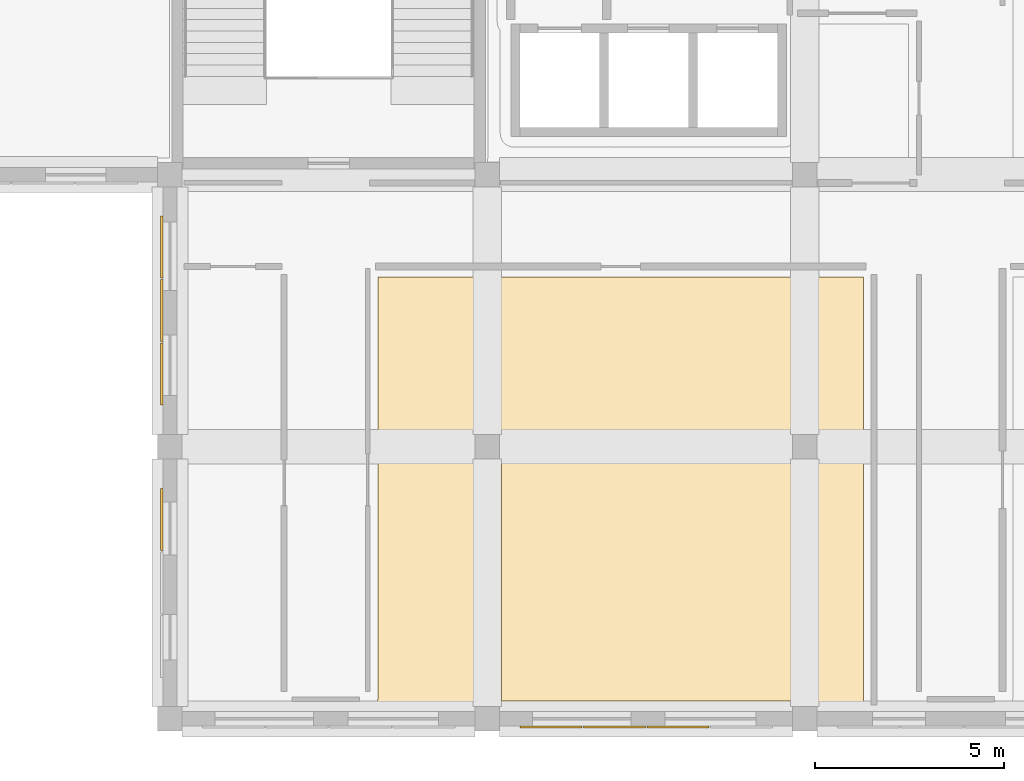
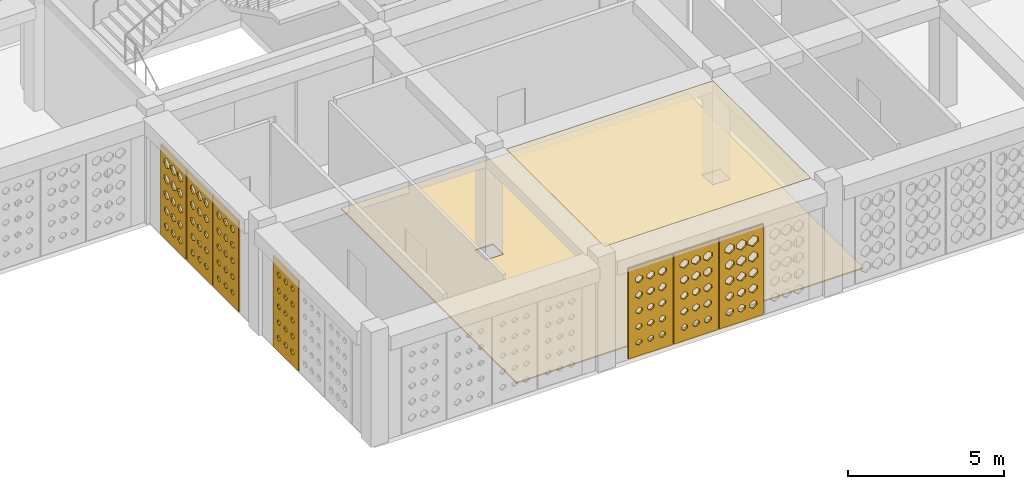
# One storey, part 19 of 47: 9 coverings.
"""IFC4 building model written with IfcOpenShell, lengths in metres."""

from ifc_helpers import new_model, si_unit, derived_unit, direction, frame, origin, place, context, subcontext, project, spatial, polyline, outline, extrude, material, layer, layer_set, type_object, element, save


model = new_model("IFC4")

# Units and contexts
model_context = context("Model", 3, precision=1e-05, world=origin(), true_north=direction((0.0, 1.0)))
body_context = subcontext(model_context, "Body", "Model", "MODEL_VIEW")
ifc_project = project(units=[si_unit("LENGTHUNIT", "METRE"), si_unit("AREAUNIT", "SQUARE_METRE"), si_unit("VOLUMEUNIT", "CUBIC_METRE"), si_unit("PLANEANGLEUNIT", "RADIAN"), si_unit("MASSUNIT", "GRAM", prefix="KILO"), derived_unit("THERMALTRANSMITTANCEUNIT", [(si_unit("POWERUNIT", "WATT"), 1), (si_unit("LENGTHUNIT", "METRE"), -2), (si_unit("THERMODYNAMICTEMPERATUREUNIT", "KELVIN"), -1)])], contexts=[model_context])

# Site, building, storey
site_placement = place(None, origin())
site = spatial("IfcSite", under=ifc_project, at=site_placement, CompositionType="ELEMENT")
building_placement = place(site_placement, origin())
building = spatial("IfcBuilding", under=site, at=building_placement, Name="Veybourne Emporium", CompositionType="ELEMENT")
storey_placement = place(building_placement, frame((0.0, 0.0, 23.39990234375)))
storey = spatial("IfcBuildingStorey", under=building, at=storey_placement, Name="L05", CompositionType="ELEMENT", Elevation=23.39990234375)

# Coverings
ifc_material_1 = material(Name="Mineral Acoustic Ceiling", Category="gypsum")
ifc_layer_1 = layer(ifc_material_1, 0.02490234375)
ifc_layer_set_1 = layer_set([ifc_layer_1], Name="Mineral Acoustic Ceiling")
covering_type_1 = type_object("IfcCoveringType", Name="Ceiling_CLG-01", PredefinedType="CEILING", material=ifc_layer_set_1)
covering_1_placement = place(storey_placement, frame((0.0, 0.0, 4.18505859375)))
element("IfcCovering", 1, at=covering_1_placement, inside=storey, type_object=covering_type_1, Name="L05 coffered acoustic ceiling 01", PredefinedType="CEILING", context=body_context, shape_type="SweptSolid", body=[
    extrude(outline(polyline([(25.572998046875, 0.472900390625), (25.572998046875, 6.751953125), (33.22705078125, 6.751953125), (33.22705078125, 0.472900390625), (25.572998046875, 0.472900390625)])), origin(), (0.0, 0.0, 1.0), 0.025146484375),
])
ifc_material_2 = material(Name="Venetian Terrazzo Flooring", Category="masonry")
ifc_layer_2 = layer(ifc_material_2, 0.044921875)
ifc_layer_set_2 = layer_set([ifc_layer_2], Name="Venetian Terrazzo Flooring")
covering_type_2 = type_object("IfcCoveringType", Name="Flooring_FLR-01", PredefinedType="FLOORING", material=ifc_layer_set_2)
covering_2_placement = place(storey_placement, origin())
element("IfcCovering", 2, at=covering_2_placement, inside=storey, type_object=covering_type_2, Name="L05 floor finish 01", PredefinedType="FLOORING", context=body_context, shape_type="SweptSolid", body=[
    extrude(outline(polyline([(22.278564453125, 0.453369140625), (22.2861328125, 0.471435546875), (22.29150390625, 0.486083984375), (22.297119140625, 0.5048828125), (22.301025390625, 0.520263671875), (22.3046875, 0.53955078125), (22.30712890625, 0.554931640625), (22.30908203125, 0.574462890625), (22.309814453125, 0.590087890625), (22.31005859375, 0.60009765625), (22.31005859375, 11.68994140625), (35.14990234375, 11.68994140625), (35.14990234375, 0.43994140625), (22.2724609375, 0.43994140625), (22.278564453125, 0.453369140625)]), holes=[polyline([(33.27001953125, 7.530029296875), (33.27001953125, 6.8701171875), (33.929931640625, 6.8701171875), (33.929931640625, 7.530029296875), (33.27001953125, 7.530029296875)]), polyline([(24.8701171875, 6.8701171875), (25.530029296875, 6.8701171875), (25.530029296875, 7.530029296875), (24.8701171875, 7.530029296875), (24.8701171875, 6.8701171875)])]), origin(), (0.0, 0.0, 1.0), 0.045166015625),
])
ifc_material_3 = material(Name="Warm-White Perforated Aluminium Screen Alloy", Category="aluminium")
ifc_layer_3 = layer(ifc_material_3, 0.06005859375)
ifc_layer_set_3 = layer_set([ifc_layer_3], Name="Warm-White Perforated Aluminium Screen Alloy")
covering_type_3 = type_object("IfcCoveringType", Name="WaveScreen_SCR-01", PredefinedType="CLADDING", material=ifc_layer_set_3)
covering_3_placement = place(storey_placement, frame((16.552001953125, 12.47998046875, 1.830078125), z_axis=(1.0, 0.0, 0.0), x_axis=(0.0, 1.0, 0.0)))
element("IfcCovering", 3, at=covering_3_placement, inside=storey, type_object=covering_type_3, Name="L05 wave-perforated aluminium screen SCR-01 (12.3)", PredefinedType="CLADDING", context=body_context, shape_type="SweptSolid", body=[
    extrude(outline(polyline([(-0.81982421875, -1.77001953125), (0.81982421875, -1.77001953125), (0.81982421875, 1.77001953125), (-0.81982421875, 1.77001953125), (-0.81982421875, -1.77001953125)]), holes=[polyline([(-0.433349609375, -1.100341796875), (-0.30908203125, -1.189697265625), (-0.30908203125, -1.290283203125), (-0.433349609375, -1.379638671875), (-0.5576171875, -1.290283203125), (-0.5576171875, -1.189697265625), (-0.433349609375, -1.100341796875)]), polyline([(-0.433349609375, -0.46875), (-0.299560546875, -0.5654296875), (-0.299560546875, -0.674560546875), (-0.433349609375, -0.771240234375), (-0.567138671875, -0.674560546875), (-0.567138671875, -0.5654296875), (-0.433349609375, -0.46875)]), polyline([(-0.433349609375, 0.164306640625), (-0.288818359375, 0.05908203125), (-0.288818359375, -0.05908203125), (-0.433349609375, -0.164306640625), (-0.577880859375, -0.05908203125), (-0.577880859375, 0.05908203125), (-0.433349609375, 0.164306640625)]), polyline([(-0.433349609375, 0.798095703125), (-0.277587890625, 0.68408203125), (-0.277587890625, 0.555908203125), (-0.433349609375, 0.44189453125), (-0.589111328125, 0.555908203125), (-0.589111328125, 0.68408203125), (-0.433349609375, 0.798095703125)]), polyline([(-0.433349609375, 1.432373046875), (-0.265869140625, 1.309326171875), (-0.265869140625, 1.170654296875), (-0.433349609375, 1.047607421875), (-0.6005859375, 1.170654296875), (-0.6005859375, 1.309326171875), (-0.433349609375, 1.432373046875)]), polyline([(0.0, -1.09521484375), (0.12841796875, -1.18798828125), (0.12841796875, -1.2919921875), (0.0, -1.384765625), (-0.12841796875, -1.2919921875), (-0.12841796875, -1.18798828125), (0.0, -1.09521484375)]), polyline([(0.0, -0.462890625), (0.138427734375, -0.5634765625), (0.138427734375, -0.676513671875), (0.0, -0.777099609375), (-0.138427734375, -0.676513671875), (-0.138427734375, -0.5634765625), (0.0, -0.462890625)]), polyline([(0.0, 0.17041015625), (0.1494140625, 0.061279296875), (0.1494140625, -0.061279296875), (0.0, -0.17041015625), (-0.1494140625, -0.061279296875), (-0.1494140625, 0.061279296875), (0.0, 0.17041015625)]), polyline([(0.0, 0.804443359375), (0.160888671875, 0.686279296875), (0.160888671875, 0.5537109375), (0.0, 0.435546875), (-0.160888671875, 0.5537109375), (-0.160888671875, 0.686279296875), (0.0, 0.804443359375)]), polyline([(0.0, 1.438720703125), (0.172607421875, 1.3115234375), (0.172607421875, 1.16845703125), (0.0, 1.041259765625), (-0.172607421875, 1.16845703125), (-0.172607421875, 1.3115234375), (0.0, 1.438720703125)]), polyline([(0.433349609375, -1.08984375), (0.566162109375, -1.18603515625), (0.566162109375, -1.2939453125), (0.433349609375, -1.39013671875), (0.300537109375, -1.2939453125), (0.300537109375, -1.18603515625), (0.433349609375, -1.08984375)]), polyline([(0.433349609375, -0.45703125), (0.57666015625, -0.561279296875), (0.57666015625, -0.6787109375), (0.433349609375, -0.782958984375), (0.2900390625, -0.6787109375), (0.2900390625, -0.561279296875), (0.433349609375, -0.45703125)]), polyline([(0.433349609375, 0.1767578125), (0.587890625, 0.063720703125), (0.587890625, -0.063720703125), (0.433349609375, -0.1767578125), (0.27880859375, -0.063720703125), (0.27880859375, 0.063720703125), (0.433349609375, 0.1767578125)]), polyline([(0.433349609375, 0.810791015625), (0.599609375, 0.688720703125), (0.599609375, 0.55126953125), (0.433349609375, 0.42919921875), (0.26708984375, 0.55126953125), (0.26708984375, 0.688720703125), (0.433349609375, 0.810791015625)]), polyline([(0.433349609375, 1.4453125), (0.611083984375, 1.31396484375), (0.611083984375, 1.166015625), (0.433349609375, 1.034912109375), (0.255615234375, 1.166015625), (0.255615234375, 1.31396484375), (0.433349609375, 1.4453125)])]), origin(), (0.0, 0.0, 1.0), 0.06005859375),
])
ifc_layer_4 = layer(ifc_material_3, 0.06005859375)
ifc_layer_set_4 = layer_set([ifc_layer_4], Name="Warm-White Perforated Aluminium Screen Alloy")
covering_type_4 = type_object("IfcCoveringType", Name="WaveScreen_SCR-02", PredefinedType="CLADDING", material=ifc_layer_set_4)
covering_4_placement = place(storey_placement, frame((30.239990234375, -0.248046875, 1.830078125), z_axis=(0.0, 1.0, 0.0), x_axis=(-1.0, 0.0, 0.0)))
element("IfcCovering", 4, at=covering_4_placement, inside=storey, type_object=covering_type_4, Name="L05 wave-perforated aluminium screen SCR-02 (14.2)", PredefinedType="CLADDING", context=body_context, shape_type="SweptSolid", body=[
    extrude(outline(polyline([(-0.81982421875, -1.77001953125), (0.81982421875, -1.77001953125), (0.81982421875, 1.77001953125), (-0.81982421875, 1.77001953125), (-0.81982421875, -1.77001953125)]), holes=[polyline([(-0.433349609375, -1.0771484375), (-0.2900390625, -1.181396484375), (-0.2900390625, -1.298583984375), (-0.433349609375, -1.40283203125), (-0.57666015625, -1.298583984375), (-0.57666015625, -1.181396484375), (-0.433349609375, -1.0771484375)]), polyline([(-0.433349609375, -0.443359375), (-0.27880859375, -0.556396484375), (-0.27880859375, -0.68359375), (-0.433349609375, -0.796630859375), (-0.587890625, -0.68359375), (-0.587890625, -0.556396484375), (-0.433349609375, -0.443359375)]), polyline([(-0.433349609375, 0.19091796875), (-0.26708984375, 0.068603515625), (-0.26708984375, -0.068603515625), (-0.433349609375, -0.19091796875), (-0.599609375, -0.068603515625), (-0.599609375, 0.068603515625), (-0.433349609375, 0.19091796875)]), polyline([(-0.433349609375, 0.8251953125), (-0.255615234375, 0.69384765625), (-0.255615234375, 0.546142578125), (-0.433349609375, 0.414794921875), (-0.611083984375, 0.546142578125), (-0.611083984375, 0.69384765625), (-0.433349609375, 0.8251953125)]), polyline([(-0.433349609375, 1.458984375), (-0.2470703125, 1.31884765625), (-0.2470703125, 1.1611328125), (-0.433349609375, 1.02099609375), (-0.61962890625, 1.1611328125), (-0.61962890625, 1.31884765625), (-0.433349609375, 1.458984375)]), polyline([(0.0, -1.0830078125), (0.138427734375, -1.18359375), (0.138427734375, -1.29638671875), (0.0, -1.39697265625), (-0.138427734375, -1.29638671875), (-0.138427734375, -1.18359375), (0.0, -1.0830078125)]), polyline([(0.0, -0.44970703125), (0.1494140625, -0.55859375), (0.1494140625, -0.681396484375), (0.0, -0.790283203125), (-0.1494140625, -0.681396484375), (-0.1494140625, -0.55859375), (0.0, -0.44970703125)]), polyline([(0.0, 0.184326171875), (0.160888671875, 0.06640625), (0.160888671875, -0.06640625), (0.0, -0.184326171875), (-0.160888671875, -0.06640625), (-0.160888671875, 0.06640625), (0.0, 0.184326171875)]), polyline([(0.0, 0.818603515625), (0.172607421875, 0.69140625), (0.172607421875, 0.548583984375), (0.0, 0.42138671875), (-0.172607421875, 0.548583984375), (-0.172607421875, 0.69140625), (0.0, 0.818603515625)]), polyline([(0.0, 1.452880859375), (0.18408203125, 1.316650390625), (0.18408203125, 1.163330078125), (0.0, 1.027099609375), (-0.18408203125, 1.163330078125), (-0.18408203125, 1.316650390625), (0.0, 1.452880859375)]), polyline([(0.433349609375, -1.088623046875), (0.567138671875, -1.185546875), (0.567138671875, -1.29443359375), (0.433349609375, -1.391357421875), (0.299560546875, -1.29443359375), (0.299560546875, -1.185546875), (0.433349609375, -1.088623046875)]), polyline([(0.433349609375, -0.455810546875), (0.57763671875, -0.560791015625), (0.57763671875, -0.67919921875), (0.433349609375, -0.7841796875), (0.2890625, -0.67919921875), (0.2890625, -0.560791015625), (0.433349609375, -0.455810546875)]), polyline([(0.433349609375, 0.177978515625), (0.589111328125, 0.064208984375), (0.589111328125, -0.064208984375), (0.433349609375, -0.177978515625), (0.277587890625, -0.064208984375), (0.277587890625, 0.064208984375), (0.433349609375, 0.177978515625)]), polyline([(0.433349609375, 0.812255859375), (0.6005859375, 0.689208984375), (0.6005859375, 0.55078125), (0.433349609375, 0.427734375), (0.26611328125, 0.55078125), (0.26611328125, 0.689208984375), (0.433349609375, 0.812255859375)]), polyline([(0.433349609375, 1.446533203125), (0.6123046875, 1.314453125), (0.6123046875, 1.16552734375), (0.433349609375, 1.033447265625), (0.25439453125, 1.16552734375), (0.25439453125, 1.314453125), (0.433349609375, 1.446533203125)])]), origin(), (0.0, 0.0, 1.0), 0.06005859375),
])
ifc_layer_5 = layer(ifc_material_3, 0.06005859375)
ifc_layer_set_5 = layer_set([ifc_layer_5], Name="Warm-White Perforated Aluminium Screen Alloy")
covering_type_5 = type_object("IfcCoveringType", Name="WaveScreen_SCR-03", PredefinedType="CLADDING", material=ifc_layer_set_5)
covering_5_placement = place(storey_placement, frame((16.552001953125, 9.1201171875, 1.830078125), z_axis=(1.0, 0.0, 0.0), x_axis=(0.0, 1.0, 0.0)))
element("IfcCovering", 5, at=covering_5_placement, inside=storey, type_object=covering_type_5, Name="L05 wave-perforated aluminium screen SCR-03 (12.1)", PredefinedType="CLADDING", context=body_context, shape_type="SweptSolid", body=[
    extrude(outline(polyline([(-0.81982421875, -1.77001953125), (0.81982421875, -1.77001953125), (0.81982421875, 1.77001953125), (-0.81982421875, 1.77001953125), (-0.81982421875, -1.77001953125)]), holes=[polyline([(-0.433349609375, -1.126953125), (-0.330810546875, -1.19921875), (-0.330810546875, -1.28076171875), (-0.433349609375, -1.35302734375), (-0.535888671875, -1.28076171875), (-0.535888671875, -1.19921875), (-0.433349609375, -1.126953125)]), polyline([(-0.433349609375, -0.501953125), (-0.326904296875, -0.577392578125), (-0.326904296875, -0.66259765625), (-0.433349609375, -0.738037109375), (-0.539794921875, -0.66259765625), (-0.539794921875, -0.577392578125), (-0.433349609375, -0.501953125)]), polyline([(-0.433349609375, 0.125244140625), (-0.32080078125, 0.045166015625), (-0.32080078125, -0.045166015625), (-0.433349609375, -0.125244140625), (-0.5458984375, -0.045166015625), (-0.5458984375, 0.045166015625), (-0.433349609375, 0.125244140625)]), polyline([(-0.433349609375, 0.75439453125), (-0.313232421875, 0.66845703125), (-0.313232421875, 0.571533203125), (-0.433349609375, 0.485595703125), (-0.553466796875, 0.571533203125), (-0.553466796875, 0.66845703125), (-0.433349609375, 0.75439453125)]), polyline([(-0.433349609375, 1.385498046875), (-0.30419921875, 1.29248046875), (-0.30419921875, 1.1875), (-0.433349609375, 1.094482421875), (-0.5625, 1.1875), (-0.5625, 1.29248046875), (-0.433349609375, 1.385498046875)]), polyline([(0.0, -1.125), (0.10400390625, -1.198486328125), (0.10400390625, -1.281494140625), (0.0, -1.35498046875), (-0.10400390625, -1.281494140625), (-0.10400390625, -1.198486328125), (0.0, -1.125)]), polyline([(0.0, -0.4990234375), (0.10888671875, -0.576416015625), (0.10888671875, -0.66357421875), (0.0, -0.740966796875), (-0.10888671875, -0.66357421875), (-0.10888671875, -0.576416015625), (0.0, -0.4990234375)]), polyline([(0.0, 0.129150390625), (0.11572265625, 0.04638671875), (0.11572265625, -0.04638671875), (0.0, -0.129150390625), (-0.11572265625, -0.04638671875), (-0.11572265625, 0.04638671875), (0.0, 0.129150390625)]), polyline([(0.0, 0.75927734375), (0.123779296875, 0.670166015625), (0.123779296875, 0.56982421875), (0.0, 0.480712890625), (-0.123779296875, 0.56982421875), (-0.123779296875, 0.670166015625), (0.0, 0.75927734375)]), polyline([(0.0, 1.390869140625), (0.133544921875, 1.294189453125), (0.133544921875, 1.185791015625), (0.0, 1.089111328125), (-0.133544921875, 1.185791015625), (-0.133544921875, 1.294189453125), (0.0, 1.390869140625)]), polyline([(0.433349609375, -1.12255859375), (0.539306640625, -1.19775390625), (0.539306640625, -1.2822265625), (0.433349609375, -1.357421875), (0.327392578125, -1.2822265625), (0.327392578125, -1.19775390625), (0.433349609375, -1.12255859375)]), polyline([(0.433349609375, -0.49560546875), (0.545166015625, -0.5751953125), (0.545166015625, -0.664794921875), (0.433349609375, -0.744384765625), (0.321533203125, -0.664794921875), (0.321533203125, -0.5751953125), (0.433349609375, -0.49560546875)]), polyline([(0.433349609375, 0.133544921875), (0.552490234375, 0.048095703125), (0.552490234375, -0.048095703125), (0.433349609375, -0.133544921875), (0.314208984375, -0.048095703125), (0.314208984375, 0.048095703125), (0.433349609375, 0.133544921875)]), polyline([(0.433349609375, 0.764404296875), (0.561279296875, 0.671875), (0.561279296875, 0.568115234375), (0.433349609375, 0.4755859375), (0.305419921875, 0.568115234375), (0.305419921875, 0.671875), (0.433349609375, 0.764404296875)]), polyline([(0.433349609375, 1.396484375), (0.5712890625, 1.29638671875), (0.5712890625, 1.18359375), (0.433349609375, 1.08349609375), (0.295166015625, 1.18359375), (0.295166015625, 1.29638671875), (0.433349609375, 1.396484375)])]), origin(), (0.0, 0.0, 1.0), 0.06005859375),
])
covering_6_placement = place(storey_placement, frame((28.56005859375, -0.248046875, 1.830078125), z_axis=(0.0, 1.0, 0.0), x_axis=(-1.0, 0.0, 0.0)))
element("IfcCovering", 6, at=covering_6_placement, inside=storey, type_object=covering_type_5, Name="L05 wave-perforated aluminium screen SCR-03 (14.3)", PredefinedType="CLADDING", context=body_context, shape_type="SweptSolid", body=[
    extrude(outline(polyline([(-0.81982421875, -1.77001953125), (0.81982421875, -1.77001953125), (0.81982421875, 1.77001953125), (-0.81982421875, 1.77001953125), (-0.81982421875, -1.77001953125)]), holes=[polyline([(-0.433349609375, -1.0986328125), (-0.3076171875, -1.189208984375), (-0.3076171875, -1.291015625), (-0.433349609375, -1.38134765625), (-0.558837890625, -1.291015625), (-0.558837890625, -1.189208984375), (-0.433349609375, -1.0986328125)]), polyline([(-0.433349609375, -0.466796875), (-0.298095703125, -0.564697265625), (-0.298095703125, -0.67529296875), (-0.433349609375, -0.773193359375), (-0.568603515625, -0.67529296875), (-0.568603515625, -0.564697265625), (-0.433349609375, -0.466796875)]), polyline([(-0.433349609375, 0.16650390625), (-0.287109375, 0.059814453125), (-0.287109375, -0.059814453125), (-0.433349609375, -0.16650390625), (-0.579345703125, -0.059814453125), (-0.579345703125, 0.059814453125), (-0.433349609375, 0.16650390625)]), polyline([(-0.433349609375, 0.80029296875), (-0.27587890625, 0.684814453125), (-0.27587890625, 0.55517578125), (-0.433349609375, 0.439697265625), (-0.5908203125, 0.55517578125), (-0.5908203125, 0.684814453125), (-0.433349609375, 0.80029296875)]), polyline([(-0.433349609375, 1.4345703125), (-0.26416015625, 1.31005859375), (-0.26416015625, 1.169921875), (-0.433349609375, 1.04541015625), (-0.6025390625, 1.169921875), (-0.6025390625, 1.31005859375), (-0.433349609375, 1.4345703125)]), polyline([(0.0, -1.103515625), (0.12158203125, -1.19091796875), (0.12158203125, -1.2890625), (0.0, -1.37646484375), (-0.12158203125, -1.2890625), (-0.12158203125, -1.19091796875), (0.0, -1.103515625)]), polyline([(0.0, -0.472412109375), (0.130859375, -0.56689453125), (0.130859375, -0.673095703125), (0.0, -0.767578125), (-0.130859375, -0.673095703125), (-0.130859375, -0.56689453125), (0.0, -0.472412109375)]), polyline([(0.0, 0.160400390625), (0.14111328125, 0.0576171875), (0.14111328125, -0.0576171875), (0.0, -0.160400390625), (-0.14111328125, -0.0576171875), (-0.14111328125, 0.0576171875), (0.0, 0.160400390625)]), polyline([(0.0, 0.7939453125), (0.15234375, 0.6826171875), (0.15234375, 0.557373046875), (0.0, 0.446044921875), (-0.15234375, 0.557373046875), (-0.15234375, 0.6826171875), (0.0, 0.7939453125)]), polyline([(0.0, 1.427978515625), (0.163818359375, 1.3076171875), (0.163818359375, 1.17236328125), (0.0, 1.052001953125), (-0.163818359375, 1.17236328125), (-0.163818359375, 1.3076171875), (0.0, 1.427978515625)]), polyline([(0.433349609375, -1.108154296875), (0.55126953125, -1.1923828125), (0.55126953125, -1.28759765625), (0.433349609375, -1.371826171875), (0.3154296875, -1.28759765625), (0.3154296875, -1.1923828125), (0.433349609375, -1.108154296875)]), polyline([(0.433349609375, -0.4775390625), (0.559814453125, -0.568603515625), (0.559814453125, -0.67138671875), (0.433349609375, -0.762451171875), (0.306884765625, -0.67138671875), (0.306884765625, -0.568603515625), (0.433349609375, -0.4775390625)]), polyline([(0.433349609375, 0.154541015625), (0.56982421875, 0.0556640625), (0.56982421875, -0.0556640625), (0.433349609375, -0.154541015625), (0.296875, -0.0556640625), (0.296875, 0.0556640625), (0.433349609375, 0.154541015625)]), polyline([(0.433349609375, 0.78759765625), (0.58056640625, 0.680419921875), (0.58056640625, 0.5595703125), (0.433349609375, 0.452392578125), (0.2861328125, 0.5595703125), (0.2861328125, 0.680419921875), (0.433349609375, 0.78759765625)]), polyline([(0.433349609375, 1.421630859375), (0.592041015625, 1.305419921875), (0.592041015625, 1.174560546875), (0.433349609375, 1.058349609375), (0.274658203125, 1.174560546875), (0.274658203125, 1.305419921875), (0.433349609375, 1.421630859375)])]), origin(), (0.0, 0.0, 1.0), 0.06005859375),
])
ifc_layer_6 = layer(ifc_material_3, 0.06005859375)
ifc_layer_set_6 = layer_set([ifc_layer_6], Name="Warm-White Perforated Aluminium Screen Alloy")
covering_type_6 = type_object("IfcCoveringType", Name="WaveScreen_SCR-04", PredefinedType="CLADDING", material=ifc_layer_set_6)
covering_7_placement = place(storey_placement, frame((16.552001953125, 5.280029296875, 1.830078125), z_axis=(1.0, 0.0, 0.0), x_axis=(0.0, 1.0, 0.0)))
element("IfcCovering", 7, at=covering_7_placement, inside=storey, type_object=covering_type_6, Name="L05 wave-perforated aluminium screen SCR-04 (11.3)", PredefinedType="CLADDING", context=body_context, shape_type="SweptSolid", body=[
    extrude(outline(polyline([(-0.81982421875, -1.77001953125), (0.81982421875, -1.77001953125), (0.81982421875, 1.77001953125), (-0.81982421875, 1.77001953125), (-0.81982421875, -1.77001953125)]), holes=[polyline([(-0.433349609375, -1.122802734375), (-0.327392578125, -1.19775390625), (-0.327392578125, -1.2822265625), (-0.433349609375, -1.357177734375), (-0.539306640625, -1.2822265625), (-0.539306640625, -1.19775390625), (-0.433349609375, -1.122802734375)]), polyline([(-0.433349609375, -0.507568359375), (-0.331298828125, -0.57958984375), (-0.331298828125, -0.660400390625), (-0.433349609375, -0.732421875), (-0.535400390625, -0.660400390625), (-0.535400390625, -0.57958984375), (-0.433349609375, -0.507568359375)]), polyline([(-0.433349609375, 0.110107421875), (-0.3330078125, 0.039794921875), (-0.3330078125, -0.039794921875), (-0.433349609375, -0.110107421875), (-0.533447265625, -0.039794921875), (-0.533447265625, 0.039794921875), (-0.433349609375, 0.110107421875)]), polyline([(-0.433349609375, 0.73046875), (-0.3330078125, 0.65966796875), (-0.3330078125, 0.580322265625), (-0.433349609375, 0.509521484375), (-0.53369140625, 0.580322265625), (-0.53369140625, 0.65966796875), (-0.433349609375, 0.73046875)]), polyline([(-0.433349609375, 1.35302734375), (-0.330810546875, 1.28076171875), (-0.330810546875, 1.19921875), (-0.433349609375, 1.126953125), (-0.535888671875, 1.19921875), (-0.535888671875, 1.28076171875), (-0.433349609375, 1.35302734375)]), polyline([(0.0, -1.125244140625), (0.10400390625, -1.19873046875), (0.10400390625, -1.28125), (0.0, -1.354736328125), (-0.10400390625, -1.28125), (-0.10400390625, -1.19873046875), (0.0, -1.125244140625)]), polyline([(0.0, -0.5087890625), (0.10107421875, -0.580078125), (0.10107421875, -0.659912109375), (0.0, -0.731201171875), (-0.10107421875, -0.659912109375), (-0.10107421875, -0.580078125), (0.0, -0.5087890625)]), polyline([(0.0, 0.110107421875), (0.10009765625, 0.03955078125), (0.10009765625, -0.03955078125), (0.0, -0.110107421875), (-0.10009765625, -0.03955078125), (-0.10009765625, 0.03955078125), (0.0, 0.110107421875)]), polyline([(0.0, 0.731201171875), (0.10107421875, 0.66015625), (0.10107421875, 0.579833984375), (0.0, 0.5087890625), (-0.10107421875, 0.579833984375), (-0.10107421875, 0.66015625), (0.0, 0.731201171875)]), polyline([(0.0, 1.35498046875), (0.10400390625, 1.281494140625), (0.10400390625, 1.198486328125), (0.0, 1.125), (-0.10400390625, 1.198486328125), (-0.10400390625, 1.281494140625), (0.0, 1.35498046875)]), polyline([(0.433349609375, -1.127197265625), (0.53564453125, -1.199462890625), (0.53564453125, -1.280517578125), (0.433349609375, -1.352783203125), (0.3310546875, -1.280517578125), (0.3310546875, -1.199462890625), (0.433349609375, -1.127197265625)]), polyline([(0.433349609375, -0.509765625), (0.53369140625, -0.580322265625), (0.53369140625, -0.65966796875), (0.433349609375, -0.730224609375), (0.3330078125, -0.65966796875), (0.3330078125, -0.580322265625), (0.433349609375, -0.509765625)]), polyline([(0.433349609375, 0.1103515625), (0.53369140625, 0.039794921875), (0.53369140625, -0.039794921875), (0.433349609375, -0.1103515625), (0.3330078125, -0.039794921875), (0.3330078125, 0.039794921875), (0.433349609375, 0.1103515625)]), polyline([(0.433349609375, 0.732666015625), (0.535400390625, 0.66064453125), (0.535400390625, 0.579345703125), (0.433349609375, 0.50732421875), (0.3310546875, 0.579345703125), (0.3310546875, 0.66064453125), (0.433349609375, 0.732666015625)]), polyline([(0.433349609375, 1.357421875), (0.53955078125, 1.2822265625), (0.53955078125, 1.19775390625), (0.433349609375, 1.12255859375), (0.3271484375, 1.19775390625), (0.3271484375, 1.2822265625), (0.433349609375, 1.357421875)])]), origin(), (0.0, 0.0, 1.0), 0.06005859375),
])
covering_8_placement = place(storey_placement, frame((16.552001953125, 10.800048828125, 1.830078125), z_axis=(1.0, 0.0, 0.0), x_axis=(0.0, 1.0, 0.0)))
element("IfcCovering", 8, at=covering_8_placement, inside=storey, type_object=covering_type_6, Name="L05 wave-perforated aluminium screen SCR-04 (12.2)", PredefinedType="CLADDING", context=body_context, shape_type="SweptSolid", body=[
    extrude(outline(polyline([(-0.81982421875, -1.77001953125), (0.81982421875, -1.77001953125), (0.81982421875, 1.77001953125), (-0.81982421875, 1.77001953125), (-0.81982421875, -1.77001953125)]), holes=[polyline([(-0.433349609375, -1.116943359375), (-0.322509765625, -1.19580078125), (-0.322509765625, -1.2841796875), (-0.433349609375, -1.363037109375), (-0.544189453125, -1.2841796875), (-0.544189453125, -1.19580078125), (-0.433349609375, -1.116943359375)]), polyline([(-0.433349609375, -0.488037109375), (-0.3154296875, -0.572509765625), (-0.3154296875, -0.66748046875), (-0.433349609375, -0.751953125), (-0.55126953125, -0.66748046875), (-0.55126953125, -0.572509765625), (-0.433349609375, -0.488037109375)]), polyline([(-0.433349609375, 0.142578125), (-0.306640625, 0.05126953125), (-0.306640625, -0.05126953125), (-0.433349609375, -0.142578125), (-0.559814453125, -0.05126953125), (-0.559814453125, 0.05126953125), (-0.433349609375, 0.142578125)]), polyline([(-0.433349609375, 0.774658203125), (-0.296875, 0.675537109375), (-0.296875, 0.564453125), (-0.433349609375, 0.46533203125), (-0.56982421875, 0.564453125), (-0.56982421875, 0.675537109375), (-0.433349609375, 0.774658203125)]), polyline([(-0.433349609375, 1.40771484375), (-0.285888671875, 1.30029296875), (-0.285888671875, 1.1796875), (-0.433349609375, 1.072265625), (-0.58056640625, 1.1796875), (-0.58056640625, 1.30029296875), (-0.433349609375, 1.40771484375)]), polyline([(0.0, -1.11328125), (0.11376953125, -1.1943359375), (0.11376953125, -1.28564453125), (0.0, -1.36669921875), (-0.11376953125, -1.28564453125), (-0.11376953125, -1.1943359375), (0.0, -1.11328125)]), polyline([(0.0, -0.4833984375), (0.12158203125, -0.57080078125), (0.12158203125, -0.669189453125), (0.0, -0.756591796875), (-0.12158203125, -0.669189453125), (-0.12158203125, -0.57080078125), (0.0, -0.4833984375)]), polyline([(0.0, 0.147705078125), (0.130859375, 0.05322265625), (0.130859375, -0.05322265625), (0.0, -0.147705078125), (-0.130859375, -0.05322265625), (-0.130859375, 0.05322265625), (0.0, 0.147705078125)]), polyline([(0.0, 0.780517578125), (0.14111328125, 0.677734375), (0.14111328125, 0.562255859375), (0.0, 0.459716796875), (-0.14111328125, 0.562255859375), (-0.14111328125, 0.677734375), (0.0, 0.780517578125)]), polyline([(0.0, 1.4140625), (0.15234375, 1.302490234375), (0.15234375, 1.177490234375), (0.0, 1.06591796875), (-0.15234375, 1.177490234375), (-0.15234375, 1.302490234375), (0.0, 1.4140625)]), polyline([(0.433349609375, -1.109130859375), (0.550537109375, -1.19287109375), (0.550537109375, -1.287109375), (0.433349609375, -1.370849609375), (0.316162109375, -1.287109375), (0.316162109375, -1.19287109375), (0.433349609375, -1.109130859375)]), polyline([(0.433349609375, -0.478759765625), (0.55908203125, -0.569091796875), (0.55908203125, -0.6708984375), (0.433349609375, -0.76123046875), (0.3076171875, -0.6708984375), (0.3076171875, -0.569091796875), (0.433349609375, -0.478759765625)]), polyline([(0.433349609375, 0.1533203125), (0.56884765625, 0.05517578125), (0.56884765625, -0.05517578125), (0.433349609375, -0.1533203125), (0.2978515625, -0.05517578125), (0.2978515625, 0.05517578125), (0.433349609375, 0.1533203125)]), polyline([(0.433349609375, 0.786376953125), (0.57958984375, 0.679931640625), (0.57958984375, 0.56005859375), (0.433349609375, 0.45361328125), (0.287109375, 0.56005859375), (0.287109375, 0.679931640625), (0.433349609375, 0.786376953125)]), polyline([(0.433349609375, 1.42041015625), (0.5908203125, 1.304931640625), (0.5908203125, 1.175048828125), (0.433349609375, 1.059814453125), (0.27587890625, 1.175048828125), (0.27587890625, 1.304931640625), (0.433349609375, 1.42041015625)])]), origin(), (0.0, 0.0, 1.0), 0.06005859375),
])
covering_9_placement = place(storey_placement, frame((26.8798828125, -0.248046875, 1.830078125), z_axis=(0.0, 1.0, 0.0), x_axis=(-1.0, 0.0, 0.0)))
element("IfcCovering", 9, at=covering_9_placement, inside=storey, type_object=covering_type_6, Name="L05 wave-perforated aluminium screen SCR-04 (14.4)", PredefinedType="CLADDING", context=body_context, shape_type="SweptSolid", body=[
    extrude(outline(polyline([(-0.81982421875, -1.77001953125), (0.81982421875, -1.77001953125), (0.81982421875, 1.77001953125), (-0.81982421875, 1.77001953125), (-0.81982421875, -1.77001953125)]), holes=[polyline([(-0.433349609375, -1.115478515625), (-0.321533203125, -1.1953125), (-0.321533203125, -1.284912109375), (-0.433349609375, -1.364501953125), (-0.545166015625, -1.284912109375), (-0.545166015625, -1.1953125), (-0.433349609375, -1.115478515625)]), polyline([(-0.433349609375, -0.486572265625), (-0.314208984375, -0.572021484375), (-0.314208984375, -0.66796875), (-0.433349609375, -0.75341796875), (-0.552490234375, -0.66796875), (-0.552490234375, -0.572021484375), (-0.433349609375, -0.486572265625)]), polyline([(-0.433349609375, 0.144287109375), (-0.305419921875, 0.052001953125), (-0.305419921875, -0.052001953125), (-0.433349609375, -0.144287109375), (-0.561279296875, -0.052001953125), (-0.561279296875, 0.052001953125), (-0.433349609375, 0.144287109375)]), polyline([(-0.433349609375, 0.776611328125), (-0.29541015625, 0.67626953125), (-0.29541015625, 0.563720703125), (-0.433349609375, 0.46337890625), (-0.5712890625, 0.563720703125), (-0.5712890625, 0.67626953125), (-0.433349609375, 0.776611328125)]), polyline([(-0.433349609375, 1.409912109375), (-0.2841796875, 1.30126953125), (-0.2841796875, 1.1787109375), (-0.433349609375, 1.070068359375), (-0.582275390625, 1.1787109375), (-0.582275390625, 1.30126953125), (-0.433349609375, 1.409912109375)]), polyline([(0.0, -1.119140625), (0.10888671875, -1.196533203125), (0.10888671875, -1.283447265625), (0.0, -1.36083984375), (-0.10888671875, -1.283447265625), (-0.10888671875, -1.196533203125), (0.0, -1.119140625)]), polyline([(0.0, -0.490966796875), (0.115478515625, -0.573486328125), (0.115478515625, -0.66650390625), (0.0, -0.7490234375), (-0.115478515625, -0.66650390625), (-0.115478515625, -0.573486328125), (0.0, -0.490966796875)]), polyline([(0.0, 0.13916015625), (0.123779296875, 0.050048828125), (0.123779296875, -0.050048828125), (0.0, -0.13916015625), (-0.123779296875, -0.050048828125), (-0.123779296875, 0.050048828125), (0.0, 0.13916015625)]), polyline([(0.0, 0.770751953125), (0.13330078125, 0.67431640625), (0.13330078125, 0.565673828125), (0.0, 0.46923828125), (-0.13330078125, 0.565673828125), (-0.13330078125, 0.67431640625), (0.0, 0.770751953125)]), polyline([(0.0, 1.40380859375), (0.14404296875, 1.299072265625), (0.14404296875, 1.180908203125), (0.0, 1.076171875), (-0.14404296875, 1.180908203125), (-0.14404296875, 1.299072265625), (0.0, 1.40380859375)]), polyline([(0.433349609375, -1.1220703125), (0.539794921875, -1.197509765625), (0.539794921875, -1.282470703125), (0.433349609375, -1.35791015625), (0.326904296875, -1.282470703125), (0.326904296875, -1.197509765625), (0.433349609375, -1.1220703125)]), polyline([(0.433349609375, -0.494873046875), (0.5458984375, -0.574951171875), (0.5458984375, -0.6650390625), (0.433349609375, -0.7451171875), (0.32080078125, -0.6650390625), (0.32080078125, -0.574951171875), (0.433349609375, -0.494873046875)]), polyline([(0.433349609375, 0.134521484375), (0.55322265625, 0.04833984375), (0.55322265625, -0.04833984375), (0.433349609375, -0.134521484375), (0.313232421875, -0.04833984375), (0.313232421875, 0.04833984375), (0.433349609375, 0.134521484375)]), polyline([(0.433349609375, 0.765380859375), (0.562255859375, 0.67236328125), (0.562255859375, 0.567626953125), (0.433349609375, 0.474609375), (0.30419921875, 0.567626953125), (0.30419921875, 0.67236328125), (0.433349609375, 0.765380859375)]), polyline([(0.433349609375, 1.397705078125), (0.572509765625, 1.296875), (0.572509765625, 1.18310546875), (0.433349609375, 1.082275390625), (0.294189453125, 1.18310546875), (0.294189453125, 1.296875), (0.433349609375, 1.397705078125)])]), origin(), (0.0, 0.0, 1.0), 0.06005859375),
])

save(model, "model.ifc")
